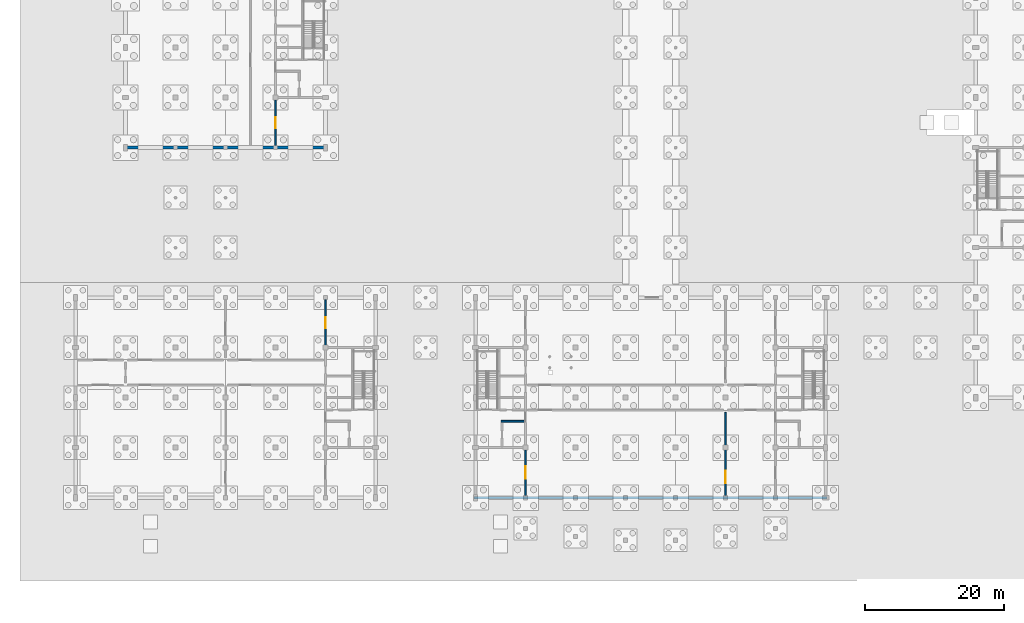
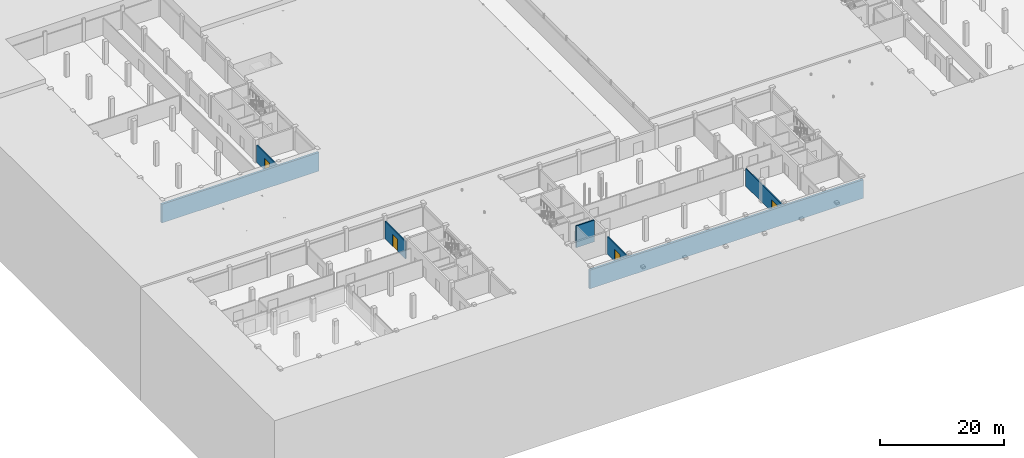
# One storey, part 26 of 51: 7 walls, 4 doors, 4 openings.
"""IFC4 building model written with IfcOpenShell, lengths in metres."""

from ifc_helpers import new_model, si_unit, direction, frame, frame_2d, origin, place, context, subcontext, project, spatial, rectangle, extrude, material, layer, layer_set, type_object, element, fill, save


model = new_model("IFC4")

# Units and contexts
model_context = context("Model", 3, precision=1e-05, world=origin(), true_north=direction((0.0, 1.0)))
body_context = subcontext(model_context, "Body", "Model", "MODEL_VIEW")
ifc_project = project(units=[si_unit("LENGTHUNIT", "METRE"), si_unit("AREAUNIT", "SQUARE_METRE"), si_unit("VOLUMEUNIT", "CUBIC_METRE"), si_unit("PLANEANGLEUNIT", "RADIAN"), si_unit("MASSUNIT", "GRAM", prefix="KILO")], contexts=[model_context])

# Site, building, storey
site_placement = place(None, origin())
site = spatial("IfcSite", under=ifc_project, at=site_placement, CompositionType="ELEMENT")
building_placement = place(site_placement, origin())
building = spatial("IfcBuilding", under=site, at=building_placement, Name="Zlatovets Crest Museum", CompositionType="ELEMENT")
storey_placement = place(building_placement, frame((0.0, 0.0, -4.5)))
storey = spatial("IfcBuildingStorey", under=building, at=storey_placement, Name="B1", CompositionType="ELEMENT", Elevation=-4.5)

# Wall
ifc_material_1 = material(Name="Concrete C35/45", Category="concrete")
ifc_layer_1 = layer(ifc_material_1, 0.25)
ifc_layer_set_1 = layer_set([ifc_layer_1], Name="Concrete C35/45")
wall_type_1 = type_object("IfcWallType", Name="CoreWall_SW02", PredefinedType="SHEAR", material=ifc_layer_set_1)
wall_1_placement = place(storey_placement, frame((61.27490234375, 11.0, 0.0), z_axis=(0.0, 0.0, 1.0), x_axis=(1.0, 0.0, 0.0)))
element("IfcWall", 1, at=wall_1_placement, inside=storey, type_object=wall_type_1, Name="Core C2 B1 Lift Shaft North Shear Wall", PredefinedType="SHEAR", context=body_context, shape_type="SweptSolid", body=[
    extrude(rectangle(XDim=3.375, YDim=0.25, at=frame_2d((1.6875, 0.0))), origin(), (0.0, 0.0, 1.0), 4.25),
])

# Wall, opening, door
ifc_material_2 = material(Name="Gypsum-encased fire compartment partition")
ifc_layer_2 = layer(ifc_material_2, 0.199951171875)
ifc_layer_set_2 = layer_set([ifc_layer_2], Name="Gypsum-encased fire compartment partition")
wall_type_2 = type_object("IfcWallType", Name="PartWall_PT-01", PredefinedType="PARTITIONING", material=ifc_layer_set_2)
wall_2_placement = place(storey_placement, frame((93.60009765625, 0.320068359375, 0.0), z_axis=(0.0, 0.0, 1.0), x_axis=(0.0, 1.0, 0.0)))
wall_2 = element("IfcWall", 2, at=wall_2_placement, inside=storey, type_object=wall_type_2, Name="V2 B1 Interior Partition PT-01", PredefinedType="PARTITIONING", context=body_context, shape_type="SweptSolid", body=[
    extrude(rectangle(XDim=11.9599609375, YDim=0.199951171875, at=frame_2d((5.97998046875, 0.0))), origin(), (0.0, 0.0, 1.0), 3.449951171875),
])
opening_1_placement = place(wall_2_placement, frame((1.7578125, 0.0, 0.0)))
opening_1 = element("IfcOpeningElement", 3, at=opening_1_placement, cuts=wall_2, Name="Opening FD-04", PredefinedType="OPENING", context=body_context, shape_type="SweptSolid", body=[
    extrude(rectangle(XDim=1.800048828125, YDim=2.39990234375, at=frame_2d((0.89990234375, 1.199951171875))), frame((0.0, 0.10986328125, 0.0), z_axis=(0.0, -1.0, 0.0), x_axis=(1.0, 0.0, 0.0)), (0.0, 0.0, 1.0), 0.219970703125),
])
ifc_material_3 = material(Name="Archive vault heavy fire door")
door_type_1 = type_object("IfcDoorType", Name="IntDoor_FD-04", OperationType="DOUBLE_DOOR_SINGLE_SWING", PredefinedType="DOOR", material=ifc_material_3)
door_1_placement = place(opening_1_placement, origin())
door_1 = element("IfcDoor", 4, at=door_1_placement, inside=storey, type_object=door_type_1, Name="IDOOR-V2-B1-0015 Loan Exhibition Archive Vault to Electrical Substation Room Door", OperationType="DOUBLE_DOOR_SINGLE_SWING", OverallHeight=2.39990234375, OverallWidth=1.800048828125, PredefinedType="DOOR", context=body_context, shape_type="SweptSolid", body=[
    extrude(rectangle(XDim=1.800048828125, YDim=2.39990234375, at=frame_2d((0.89990234375, 1.199951171875))), frame((0.0, 0.02490234375, 0.0), z_axis=(0.0, -1.0, 0.0), x_axis=(1.0, 0.0, 0.0)), (0.0, 0.0, 1.0), 0.050048828125),
])
fill(opening_1, door_1)

wall_3_placement = place(storey_placement, frame((64.800048828125, 0.320068359375, 0.0), z_axis=(0.0, 0.0, 1.0), x_axis=(0.0, 1.0, 0.0)))
wall_3 = element("IfcWall", 5, at=wall_3_placement, inside=storey, type_object=wall_type_2, Name="V2 B1 Interior Partition PT-01", PredefinedType="PARTITIONING", context=body_context, shape_type="SweptSolid", body=[
    extrude(rectangle(XDim=6.559814453125, YDim=0.199951171875, at=frame_2d((3.27978515625, 0.0))), origin(), (0.0, 0.0, 1.0), 3.449951171875),
])
opening_2_placement = place(wall_3_placement, frame((2.3798828125, 0.0, 0.0)))
opening_2 = element("IfcOpeningElement", 6, at=opening_2_placement, cuts=wall_3, Name="Opening FD-04", PredefinedType="OPENING", context=body_context, shape_type="SweptSolid", body=[
    extrude(rectangle(XDim=1.800048828125, YDim=2.39990234375, at=frame_2d((0.89990234375, 1.199951171875))), frame((0.0, 0.10986328125, 0.0), z_axis=(0.0, -1.0, 0.0), x_axis=(1.0, 0.0, 0.0)), (0.0, 0.0, 1.0), 0.219970703125),
])
door_2_placement = place(opening_2_placement, origin())
door_2 = element("IfcDoor", 7, at=door_2_placement, inside=storey, type_object=door_type_1, Name="IDOOR-V2-B1-0016 Loan Exhibition Archive Vault to Sprinkler Pump and Cistern Room Door", OperationType="DOUBLE_DOOR_SINGLE_SWING", OverallHeight=2.39990234375, OverallWidth=1.800048828125, PredefinedType="DOOR", context=body_context, shape_type="SweptSolid", body=[
    extrude(rectangle(XDim=1.800048828125, YDim=2.39990234375, at=frame_2d((0.89990234375, 1.199951171875))), frame((0.0, 0.02490234375, 0.0), z_axis=(0.0, -1.0, 0.0), x_axis=(1.0, 0.0, 0.0)), (0.0, 0.0, 1.0), 0.050048828125),
])
fill(opening_2, door_2)

wall_4_placement = place(storey_placement, frame((36.0, 21.919921875, 0.0), z_axis=(0.0, 0.0, 1.0), x_axis=(0.0, 1.0, 0.0)))
wall_4 = element("IfcWall", 8, at=wall_4_placement, inside=storey, type_object=wall_type_2, Name="V3 B1 Interior Partition PT-01", PredefinedType="PARTITIONING", context=body_context, shape_type="SweptSolid", body=[
    extrude(rectangle(XDim=6.56005859375, YDim=0.199951171875, at=frame_2d((3.280029296875, 0.0))), origin(), (0.0, 0.0, 1.0), 3.449951171875),
])
opening_3_placement = place(wall_4_placement, frame((2.47998046875, 0.0, 0.0)))
opening_3 = element("IfcOpeningElement", 9, at=opening_3_placement, cuts=wall_4, Name="Opening ID-04", PredefinedType="OPENING", context=body_context, shape_type="SweptSolid", body=[
    extrude(rectangle(XDim=1.60009765625, YDim=2.35009765625, at=frame_2d((0.800048828125, 1.175048828125))), frame((0.0, 0.10986328125, 0.0), z_axis=(0.0, -1.0, 0.0), x_axis=(1.0, 0.0, 0.0)), (0.0, 0.0, 1.0), 0.219970703125),
])
ifc_material_4 = material(Name="Gallery salon double portal door")
door_type_2 = type_object("IfcDoorType", Name="IntDoor_ID-04", OperationType="DOUBLE_DOOR_SINGLE_SWING", PredefinedType="DOOR", material=ifc_material_4)
door_3_placement = place(opening_3_placement, origin())
door_3 = element("IfcDoor", 10, at=door_3_placement, inside=storey, type_object=door_type_2, Name="IDOOR-V3-B1-0031 Auditorium Acoustic AHU Room to Stage Dimmer and Audio Rack Room Door", OperationType="DOUBLE_DOOR_SINGLE_SWING", OverallHeight=2.35009765625, OverallWidth=1.60009765625, PredefinedType="DOOR", context=body_context, shape_type="SweptSolid", body=[
    extrude(rectangle(XDim=1.60009765625, YDim=2.35009765625, at=frame_2d((0.800048828125, 1.175048828125))), frame((0.0, 0.02490234375, 0.0), z_axis=(0.0, -1.0, 0.0), x_axis=(1.0, 0.0, 0.0)), (0.0, 0.0, 1.0), 0.050048828125),
])
fill(opening_3, door_3)

wall_5_placement = place(storey_placement, frame((28.800048828125, 50.719970703125, 0.0), z_axis=(0.0, 0.0, 1.0), x_axis=(0.0, 1.0, 0.0)))
wall_5 = element("IfcWall", 11, at=wall_5_placement, inside=storey, type_object=wall_type_2, Name="V4 B1 Interior Partition PT-01", PredefinedType="PARTITIONING", context=body_context, shape_type="SweptSolid", body=[
    extrude(rectangle(XDim=6.56005859375, YDim=0.199951171875, at=frame_2d((3.280029296875, 0.0))), origin(), (0.0, 0.0, 1.0), 3.449951171875),
])
opening_4_placement = place(wall_5_placement, frame((2.47998046875, 0.0, 0.0)))
opening_4 = element("IfcOpeningElement", 12, at=opening_4_placement, cuts=wall_5, Name="Opening ID-04", PredefinedType="OPENING", context=body_context, shape_type="SweptSolid", body=[
    extrude(rectangle(XDim=1.60009765625, YDim=2.35009765625, at=frame_2d((0.800048828125, 1.175048828125))), frame((0.0, 0.10986328125, 0.0), z_axis=(0.0, -1.0, 0.0), x_axis=(1.0, 0.0, 0.0)), (0.0, 0.0, 1.0), 0.219970703125),
])
door_4_placement = place(opening_4_placement, origin())
door_4 = element("IfcDoor", 13, at=door_4_placement, inside=storey, type_object=door_type_2, Name="IDOOR-V4-B1-0035 West Wing Basement Corridor to West Wing Humidity Plant Room Door", OperationType="DOUBLE_DOOR_SINGLE_SWING", OverallHeight=2.35009765625, OverallWidth=1.60009765625, PredefinedType="DOOR", context=body_context, shape_type="SweptSolid", body=[
    extrude(rectangle(XDim=1.60009765625, YDim=2.35009765625, at=frame_2d((0.800048828125, 1.175048828125))), frame((0.0, 0.02490234375, 0.0), z_axis=(0.0, -1.0, 0.0), x_axis=(1.0, 0.0, 0.0)), (0.0, 0.0, 1.0), 0.050048828125),
])
fill(opening_4, door_4)

# Walls
ifc_layer_3 = layer(ifc_material_1, 0.39990234375)
ifc_layer_set_3 = layer_set([ifc_layer_3], Name="Concrete C35/45")
wall_type_3 = type_object("IfcWallType", Name="RetainingWall_RW01", PredefinedType="USERDEFINED", material=ifc_layer_set_3)
wall_6_placement = place(storey_placement, frame((57.39990234375, 0.0, 0.0), z_axis=(0.0, 0.0, 1.0), x_axis=(1.0, 0.0, 0.0)))
element("IfcWall", 14, at=wall_6_placement, inside=storey, type_object=wall_type_3, Name="V2 B1 Retaining Wall S", ObjectType="RETAINING WALL", PredefinedType="USERDEFINED", context=body_context, shape_type="SweptSolid", body=[
    extrude(rectangle(XDim=50.800048828125, YDim=0.39990234375, at=frame_2d((25.39990234375, 0.0))), origin(), (0.0, 0.0, 1.0), 3.669921875),
])
wall_7_placement = place(storey_placement, frame((7.0, 50.39990234375, 0.0), z_axis=(0.0, 0.0, 1.0), x_axis=(1.0, 0.0, 0.0)))
element("IfcWall", 15, at=wall_7_placement, inside=storey, type_object=wall_type_3, Name="V4 B1 Retaining Wall S", ObjectType="RETAINING WALL", PredefinedType="USERDEFINED", context=body_context, shape_type="SweptSolid", body=[
    extrude(rectangle(XDim=29.199951171875, YDim=0.39990234375, at=frame_2d((14.60009765625, 0.0))), origin(), (0.0, 0.0, 1.0), 3.669921875),
])

save(model, "model.ifc")
